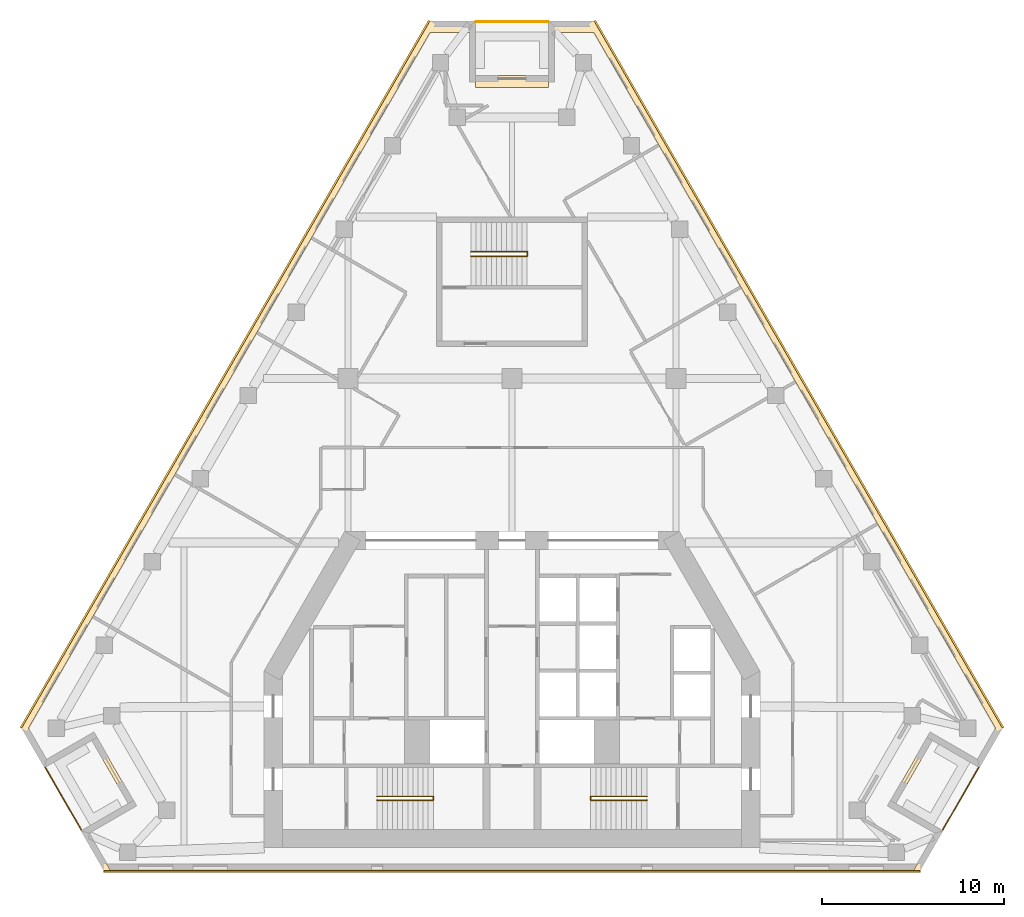
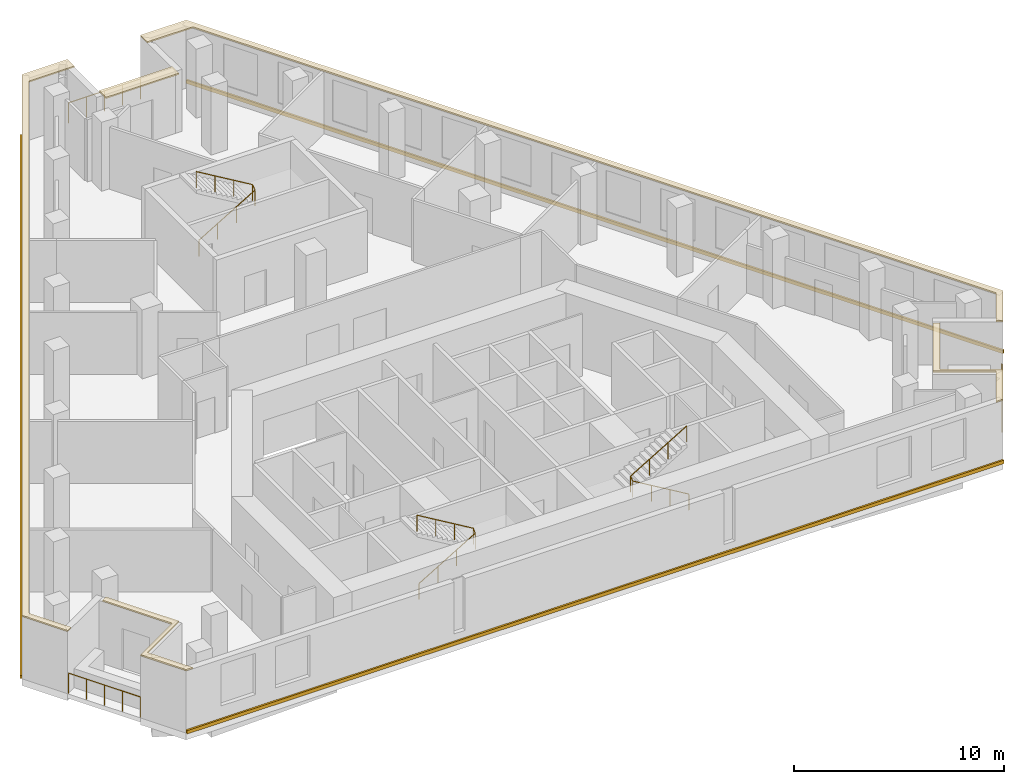
# One storey, part 8 of 8: 8 coverings, 6 railings.
"""IFC4 building model written with IfcOpenShell, lengths in metres."""

from ifc_helpers import new_model, si_unit, direction, frame, origin, origin_2d, place, context, subcontext, project, spatial, polyline, circle, outline, extrude, material, layer, layer_set, type_object, element, save


model = new_model("IFC4")

# Units and contexts
model_context = context("Model", 3, precision=1e-05, world=origin(), true_north=direction((0.0, 1.0)))
body_context = subcontext(model_context, "Body", "Model", "MODEL_VIEW")
ifc_project = project(units=[si_unit("LENGTHUNIT", "METRE"), si_unit("AREAUNIT", "SQUARE_METRE"), si_unit("VOLUMEUNIT", "CUBIC_METRE"), si_unit("PLANEANGLEUNIT", "RADIAN"), si_unit("MASSUNIT", "GRAM", prefix="KILO")], contexts=[model_context])

# Site, building, storey
site_placement = place(None, origin())
site = spatial("IfcSite", under=ifc_project, at=site_placement, CompositionType="ELEMENT")
building_placement = place(site_placement, origin())
building = spatial("IfcBuilding", under=site, at=building_placement, Name="Fogline Exchange Tower", CompositionType="ELEMENT")
storey_placement = place(building_placement, frame((0.0, 0.0, 231.5)))
storey = spatial("IfcBuildingStorey", under=building, at=storey_placement, Name="L52", CompositionType="ELEMENT", Elevation=231.5)

# Coverings
ifc_material_1 = material(Name="Granite", Category="masonry")
ifc_layer = layer(ifc_material_1, 0.080078125)
ifc_layer_set = layer_set([ifc_layer], Name="CP1")
covering_type_1 = type_object("IfcCoveringType", Name="CP1", PredefinedType="USERDEFINED", material=ifc_layer_set)
covering_1_placement = place(storey_placement, frame((0.0, 0.0, 3.60009765625)))
element("IfcCovering", 1, at=covering_1_placement, inside=storey, type_object=covering_type_1, Name="Ledge coping L52", ObjectType="COPING", PredefinedType="USERDEFINED", context=body_context, shape_type="SweptSolid", body=[
    extrude(outline(polyline([(-25.6640625, 5.629150390625), (-25.384765625, 5.790283203125), (-26.541748046875, 7.794189453125), (-4.5, 45.9716796875), (-2.0, 45.9716796875), (-2.0, 46.61669921875), (-4.5, 46.61669921875), (-26.9140625, 7.794189453125), (-25.6640625, 5.629150390625)])), origin(), (0.0, 0.0, 1.0), 0.079833984375),
])
covering_2_placement = place(storey_placement, frame((0.0, 0.0, 3.60009765625)))
element("IfcCovering", 2, at=covering_2_placement, inside=storey, type_object=covering_type_1, Name="Ledge coping L52", ObjectType="COPING", PredefinedType="USERDEFINED", context=body_context, shape_type="SweptSolid", body=[
    extrude(outline(polyline([(-22.4140625, 0.0), (-22.041748046875, 0.0), (-23.291748046875, 2.1650390625), (-20.693603515625, 3.6650390625), (-22.693603515625, 7.129150390625), (-22.972900390625, 6.968017578125), (-21.066162109375, 3.6650390625), (-23.6640625, 2.1650390625), (-22.4140625, 0.0)])), origin(), (0.0, 0.0, 1.0), 0.079833984375),
])
covering_3_placement = place(storey_placement, frame((0.0, 0.0, 3.60009765625)))
element("IfcCovering", 3, at=covering_3_placement, inside=storey, type_object=covering_type_1, Name="Ledge coping L52", ObjectType="COPING", PredefinedType="USERDEFINED", context=body_context, shape_type="SweptSolid", body=[
    extrude(outline(polyline([(21.066162109375, 3.6650390625), (22.972900390625, 6.968017578125), (22.693603515625, 7.129150390625), (20.693603515625, 3.6650390625), (23.291748046875, 2.1650390625), (22.041748046875, 0.0), (22.4140625, 0.0), (23.6640625, 2.1650390625), (21.066162109375, 3.6650390625)])), origin(), (0.0, 0.0, 1.0), 0.079833984375),
])
covering_4_placement = place(storey_placement, frame((0.0, 0.0, 3.60009765625)))
element("IfcCovering", 4, at=covering_4_placement, inside=storey, type_object=covering_type_1, Name="Ledge coping L52", ObjectType="COPING", PredefinedType="USERDEFINED", context=body_context, shape_type="SweptSolid", body=[
    extrude(outline(polyline([(2.0, 46.61669921875), (2.0, 45.9716796875), (4.5, 45.9716796875), (26.541748046875, 7.794189453125), (25.384765625, 5.790283203125), (25.6640625, 5.629150390625), (26.9140625, 7.794189453125), (4.5, 46.61669921875), (2.0, 46.61669921875)])), origin(), (0.0, 0.0, 1.0), 0.079833984375),
])
covering_5_placement = place(storey_placement, frame((0.0, 0.0, 3.60009765625)))
element("IfcCovering", 5, at=covering_5_placement, inside=storey, type_object=covering_type_1, Name="Ledge coping L52", ObjectType="COPING", PredefinedType="USERDEFINED", context=body_context, shape_type="SweptSolid", body=[
    extrude(outline(polyline([(2.0, 43.61669921875), (-2.0, 43.61669921875), (-2.0, 42.9716796875), (2.0, 42.9716796875), (2.0, 43.61669921875)])), origin(), (0.0, 0.0, 1.0), 0.079833984375),
])

# Railings
ifc_material_2 = material(Name="Stainless steel 304", Category="steel")
railing_type_1 = type_object("IfcRailingType", Name="G1", PredefinedType="GUARDRAIL", material=ifc_material_2)
railing_1_placement = place(storey_placement, frame((-25.6103515625, 5.635986328125, 0.0)))
element("IfcRailing", 6, at=railing_1_placement, inside=storey, type_object=railing_type_1, Name="Balcony guard L52 SW", PredefinedType="GUARDRAIL", context=body_context, shape_type="SweptSolid", body=[
    extrude(circle(Radius=0.02392578125, at=origin_2d()), frame((0.0, 0.0, 1.17578125), z_axis=(0.500000102728, -0.866025344474, 0.0), x_axis=(0.866025344474, 0.500000102728, 0.0)), (0.0, 0.0, 1.0), 3.9580078125),
    extrude(circle(Radius=0.02099609375, at=origin_2d()), origin(), (0.0, 0.0, 1.0), 1.15185546875),
    extrude(circle(Radius=0.02099609375, at=origin_2d()), frame((0.49462890625, -0.85693359375, 0.0)), (0.0, 0.0, 1.0), 1.15185546875),
    extrude(circle(Radius=0.02099609375, at=origin_2d()), frame((0.989501953125, -1.7138671875, 0.0)), (0.0, 0.0, 1.0), 1.15185546875),
    extrude(circle(Radius=0.02099609375, at=origin_2d()), frame((1.484375, -2.57080078125, 0.0)), (0.0, 0.0, 1.0), 1.15185546875),
    extrude(circle(Radius=0.02099609375, at=origin_2d()), frame((1.97900390625, -3.427734375, 0.0)), (0.0, 0.0, 1.0), 1.15185546875),
])
railing_2_placement = place(storey_placement, frame((23.63134765625, 2.208251953125, 0.0)))
element("IfcRailing", 7, at=railing_2_placement, inside=storey, type_object=railing_type_1, Name="Balcony guard L52 SE", PredefinedType="GUARDRAIL", context=body_context, shape_type="SweptSolid", body=[
    extrude(circle(Radius=0.02392578125, at=origin_2d()), frame((0.0, 0.0, 1.17578125), z_axis=(0.500000102728, 0.866025344474, 0.0), x_axis=(-0.866025344474, 0.500000102728, 0.0)), (0.0, 0.0, 1.0), 3.9580078125),
    extrude(circle(Radius=0.02099609375, at=origin_2d()), origin(), (0.0, 0.0, 1.0), 1.15185546875),
    extrude(circle(Radius=0.02099609375, at=origin_2d()), frame((0.49462890625, 0.85693359375, 0.0)), (0.0, 0.0, 1.0), 1.15185546875),
    extrude(circle(Radius=0.02099609375, at=origin_2d()), frame((0.989501953125, 1.7138671875, 0.0)), (0.0, 0.0, 1.0), 1.15185546875),
    extrude(circle(Radius=0.02099609375, at=origin_2d()), frame((1.484375, 2.57080078125, 0.0)), (0.0, 0.0, 1.0), 1.15185546875),
    extrude(circle(Radius=0.02099609375, at=origin_2d()), frame((1.97900390625, 3.427734375, 0.0)), (0.0, 0.0, 1.0), 1.15185546875),
])
railing_3_placement = place(storey_placement, frame((1.97900390625, 46.566650390625, 0.0)))
element("IfcRailing", 8, at=railing_3_placement, inside=storey, type_object=railing_type_1, Name="Balcony guard L52 N", PredefinedType="GUARDRAIL", context=body_context, shape_type="SweptSolid", body=[
    extrude(circle(Radius=0.02392578125, at=origin_2d()), frame((0.0, 0.0, 1.17578125), z_axis=(-1.0, 0.0, 0.0), x_axis=(0.0, -1.0, 0.0)), (0.0, 0.0, 1.0), 3.9580078125),
    extrude(circle(Radius=0.02099609375, at=origin_2d()), origin(), (0.0, 0.0, 1.0), 1.15185546875),
    extrude(circle(Radius=0.02099609375, at=origin_2d()), frame((-0.989501953125, 0.0, 0.0)), (0.0, 0.0, 1.0), 1.15185546875),
    extrude(circle(Radius=0.02099609375, at=origin_2d()), frame((-1.97900390625, 0.0, 0.0)), (0.0, 0.0, 1.0), 1.15185546875),
    extrude(circle(Radius=0.02099609375, at=origin_2d()), frame((-2.968505859375, 0.0, 0.0)), (0.0, 0.0, 1.0), 1.15185546875),
    extrude(circle(Radius=0.02099609375, at=origin_2d()), frame((-3.9580078125, 0.0, 0.0)), (0.0, 0.0, 1.0), 1.15185546875),
])
ifc_material_3 = material(Name="Steel Q235B", Category="steel")
railing_type_2 = type_object("IfcRailingType", Name="RL-HR", PredefinedType="HANDRAIL", material=ifc_material_3)
railing_4_placement = place(storey_placement, frame((-7.39990234375, 3.85009765625, 0.166748046875)))
element("IfcRailing", 9, at=railing_4_placement, inside=storey, type_object=railing_type_2, Name="Handrail ST1", PredefinedType="HANDRAIL", context=body_context, shape_type="SweptSolid", body=[
    extrude(circle(Radius=0.02392578125, at=origin_2d()), frame((0.0, 0.0, 0.92578125), z_axis=(0.859290745958, 0.0, 0.51148745235), x_axis=(0.0, 1.0, 0.0)), (0.0, 0.0, 1.0), 3.584228515625),
    extrude(circle(Radius=0.02392578125, at=origin_2d()), frame((3.079833984375, 0.0, 2.75927734375), z_axis=(0.0, 0.767990643491, 0.640461061666), x_axis=(-1.0, 0.0, 0.0)), (0.0, 0.0, 1.0), 0.26025390625),
    extrude(circle(Radius=0.02392578125, at=origin_2d()), frame((3.079833984375, 0.199951171875, 2.92578125), z_axis=(-0.859290745958, 0.0, 0.51148745235), x_axis=(0.0, -1.0, 0.0)), (0.0, 0.0, 1.0), 3.584228515625),
    extrude(circle(Radius=0.02099609375, at=origin_2d()), origin(), (0.0, 0.0, 1.0), 0.90185546875),
    extrude(circle(Radius=0.02099609375, at=origin_2d()), frame((1.026611328125, 0.0, 0.611083984375)), (0.0, 0.0, 1.0), 0.90185546875),
    extrude(circle(Radius=0.02099609375, at=origin_2d()), frame((2.05322265625, 0.0, 1.22216796875)), (0.0, 0.0, 1.0), 0.90185546875),
    extrude(circle(Radius=0.02099609375, at=origin_2d()), frame((3.079833984375, 0.0, 1.833251953125)), (0.0, 0.0, 1.0), 0.90185546875),
    extrude(circle(Radius=0.02099609375, at=origin_2d()), frame((3.079833984375, 0.199951171875, 2.0)), (0.0, 0.0, 1.0), 0.90185546875),
    extrude(circle(Radius=0.02099609375, at=origin_2d()), frame((2.05322265625, 0.199951171875, 2.611083984375)), (0.0, 0.0, 1.0), 0.90185546875),
    extrude(circle(Radius=0.02099609375, at=origin_2d()), frame((1.026611328125, 0.199951171875, 3.22216796875)), (0.0, 0.0, 1.0), 0.90185546875),
    extrude(circle(Radius=0.02099609375, at=origin_2d()), frame((0.0, 0.199951171875, 3.833251953125)), (0.0, 0.0, 1.0), 0.90185546875),
])
railing_5_placement = place(storey_placement, frame((7.39990234375, 3.85009765625, 0.166748046875)))
element("IfcRailing", 10, at=railing_5_placement, inside=storey, type_object=railing_type_2, Name="Handrail ST2", PredefinedType="HANDRAIL", context=body_context, shape_type="SweptSolid", body=[
    extrude(circle(Radius=0.02392578125, at=origin_2d()), frame((0.0, 0.0, 0.92578125), z_axis=(-0.859290745958, 0.0, 0.51148745235), x_axis=(0.0, -1.0, 0.0)), (0.0, 0.0, 1.0), 3.584228515625),
    extrude(circle(Radius=0.02392578125, at=origin_2d()), frame((-3.079833984375, 0.0, 2.75927734375), z_axis=(0.0, 0.767990643491, 0.640461061666), x_axis=(-1.0, 0.0, 0.0)), (0.0, 0.0, 1.0), 0.26025390625),
    extrude(circle(Radius=0.02392578125, at=origin_2d()), frame((-3.079833984375, 0.199951171875, 2.92578125), z_axis=(0.859290745958, 0.0, 0.51148745235), x_axis=(0.0, 1.0, 0.0)), (0.0, 0.0, 1.0), 3.584228515625),
    extrude(circle(Radius=0.02099609375, at=origin_2d()), origin(), (0.0, 0.0, 1.0), 0.90185546875),
    extrude(circle(Radius=0.02099609375, at=origin_2d()), frame((-1.026611328125, 0.0, 0.611083984375)), (0.0, 0.0, 1.0), 0.90185546875),
    extrude(circle(Radius=0.02099609375, at=origin_2d()), frame((-2.05322265625, 0.0, 1.22216796875)), (0.0, 0.0, 1.0), 0.90185546875),
    extrude(circle(Radius=0.02099609375, at=origin_2d()), frame((-3.079833984375, 0.0, 1.833251953125)), (0.0, 0.0, 1.0), 0.90185546875),
    extrude(circle(Radius=0.02099609375, at=origin_2d()), frame((-3.079833984375, 0.199951171875, 2.0)), (0.0, 0.0, 1.0), 0.90185546875),
    extrude(circle(Radius=0.02099609375, at=origin_2d()), frame((-2.05322265625, 0.199951171875, 2.611083984375)), (0.0, 0.0, 1.0), 0.90185546875),
    extrude(circle(Radius=0.02099609375, at=origin_2d()), frame((-1.026611328125, 0.199951171875, 3.22216796875)), (0.0, 0.0, 1.0), 0.90185546875),
    extrude(circle(Radius=0.02099609375, at=origin_2d()), frame((0.0, 0.199951171875, 3.833251953125)), (0.0, 0.0, 1.0), 0.90185546875),
])
railing_6_placement = place(storey_placement, frame((-2.25, 33.70703125, 0.166748046875)))
element("IfcRailing", 11, at=railing_6_placement, inside=storey, type_object=railing_type_2, Name="Handrail ST3", PredefinedType="HANDRAIL", context=body_context, shape_type="SweptSolid", body=[
    extrude(circle(Radius=0.02392578125, at=origin_2d()), frame((0.0, 0.0, 0.92578125), z_axis=(0.859308565015, 0.0, 0.511457515432), x_axis=(0.0, 1.0, 0.0)), (0.0, 0.0, 1.0), 3.58447265625),
    extrude(circle(Radius=0.02392578125, at=origin_2d()), frame((3.080078125, 0.0, 2.75927734375), z_axis=(0.0, 0.831925284441, 0.554887665306), x_axis=(-1.0, 0.0, 0.0)), (0.0, 0.0, 1.0), 0.300537109375),
    extrude(circle(Radius=0.02392578125, at=origin_2d()), frame((3.080078125, 0.25, 2.92578125), z_axis=(-0.859308565015, 0.0, 0.511457515432), x_axis=(0.0, -1.0, 0.0)), (0.0, 0.0, 1.0), 3.58447265625),
    extrude(circle(Radius=0.02099609375, at=origin_2d()), origin(), (0.0, 0.0, 1.0), 0.90185546875),
    extrude(circle(Radius=0.02099609375, at=origin_2d()), frame((1.026611328125, 0.0, 0.611083984375)), (0.0, 0.0, 1.0), 0.90185546875),
    extrude(circle(Radius=0.02099609375, at=origin_2d()), frame((2.053466796875, 0.0, 1.22216796875)), (0.0, 0.0, 1.0), 0.90185546875),
    extrude(circle(Radius=0.02099609375, at=origin_2d()), frame((3.080078125, 0.0, 1.833251953125)), (0.0, 0.0, 1.0), 0.90185546875),
    extrude(circle(Radius=0.02099609375, at=origin_2d()), frame((3.080078125, 0.25, 2.0)), (0.0, 0.0, 1.0), 0.90185546875),
    extrude(circle(Radius=0.02099609375, at=origin_2d()), frame((2.053466796875, 0.25, 2.611083984375)), (0.0, 0.0, 1.0), 0.90185546875),
    extrude(circle(Radius=0.02099609375, at=origin_2d()), frame((1.026611328125, 0.25, 3.22216796875)), (0.0, 0.0, 1.0), 0.90185546875),
    extrude(circle(Radius=0.02099609375, at=origin_2d()), frame((0.0, 0.25, 3.833251953125)), (0.0, 0.0, 1.0), 0.90185546875),
])

# Coverings
ifc_material_4 = material(Name="Brick masonry", Category="masonry")
covering_type_2 = type_object("IfcCoveringType", Name="SB1", PredefinedType="CLADDING", material=ifc_material_4)
covering_6_placement = place(storey_placement, origin())
element("IfcCovering", 12, at=covering_6_placement, inside=storey, type_object=covering_type_2, Name="Stringcourse band L52 S", PredefinedType="CLADDING", context=body_context, shape_type="SweptSolid", body=[
    extrude(outline(polyline([(-22.4140625, 0.0), (-22.4140625, -0.10009765625), (22.4140625, -0.10009765625), (22.4140625, 0.0), (-22.4140625, 0.0)])), origin(), (0.0, 0.0, 1.0), 0.199951171875),
])
covering_7_placement = place(storey_placement, origin())
element("IfcCovering", 13, at=covering_7_placement, inside=storey, type_object=covering_type_2, Name="Stringcourse band L52 E", PredefinedType="CLADDING", context=body_context, shape_type="SweptSolid", body=[
    extrude(outline(polyline([(26.9140625, 7.794189453125), (27.000732421875, 7.84423828125), (4.586669921875, 46.666748046875), (4.5, 46.61669921875), (26.9140625, 7.794189453125)])), origin(), (0.0, 0.0, 1.0), 0.199951171875),
])
covering_8_placement = place(storey_placement, origin())
element("IfcCovering", 14, at=covering_8_placement, inside=storey, type_object=covering_type_2, Name="Stringcourse band L52 W", PredefinedType="CLADDING", context=body_context, shape_type="SweptSolid", body=[
    extrude(outline(polyline([(-4.5, 46.61669921875), (-4.586669921875, 46.666748046875), (-27.000732421875, 7.84423828125), (-26.9140625, 7.794189453125), (-4.5, 46.61669921875)])), origin(), (0.0, 0.0, 1.0), 0.199951171875),
])

save(model, "model.ifc")
